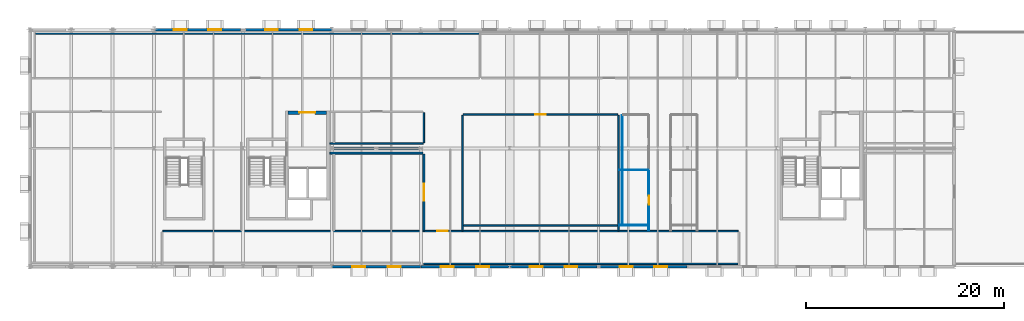
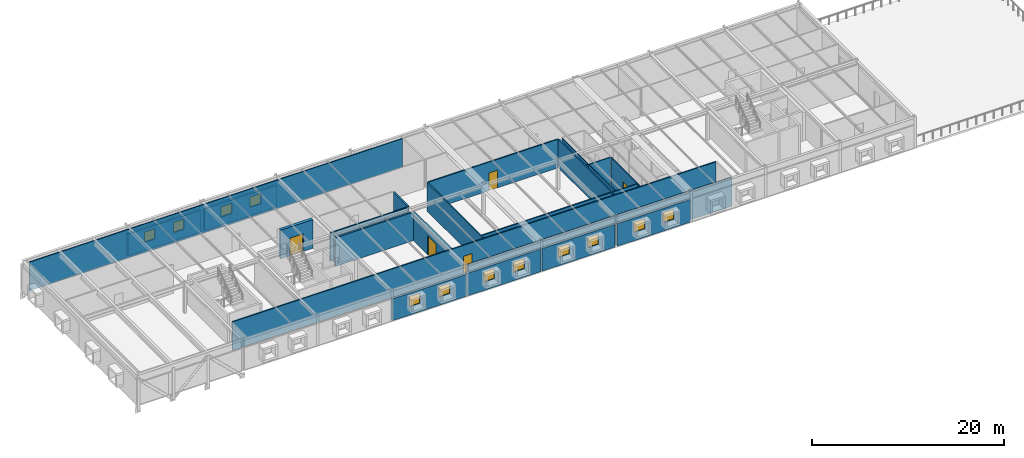
# One storey, part 12 of 17: 24 walls, 12 windows, 5 doors, 17 openings.
"""IFC4 building model written with IfcOpenShell, lengths in metres."""

from ifc_helpers import new_model, si_unit, direction, frame, frame_2d, origin, place, context, subcontext, project, spatial, rectangle, extrude, material, layer, layer_set, type_object, element, fill, save


model = new_model("IFC4")

# Units and contexts
model_context = context("Model", 3, precision=1e-05, world=origin(), true_north=direction((0.0, 1.0)))
body_context = subcontext(model_context, "Body", "Model", "MODEL_VIEW")
ifc_project = project(units=[si_unit("LENGTHUNIT", "METRE"), si_unit("AREAUNIT", "SQUARE_METRE"), si_unit("VOLUMEUNIT", "CUBIC_METRE"), si_unit("PLANEANGLEUNIT", "RADIAN"), si_unit("MASSUNIT", "GRAM", prefix="KILO")], contexts=[model_context])

# Site, building, storey
site_placement = place(None, origin())
site = spatial("IfcSite", under=ifc_project, at=site_placement, CompositionType="ELEMENT")
building_placement = place(site_placement, origin())
building = spatial("IfcBuilding", under=site, at=building_placement, Name="Montelvaro Courts of Justice", CompositionType="ELEMENT")
storey_placement = place(building_placement, frame((0.0, 0.0, 27.39990234375)))
storey = spatial("IfcBuildingStorey", under=building, at=storey_placement, Name="L06", CompositionType="ELEMENT", Elevation=27.39990234375)

# Wall, opening, door
ifc_material_1 = material(Name="Gypsum board on metal stud")
ifc_layer_1 = layer(ifc_material_1, 0.14990234375)
ifc_layer_set_1 = layer_set([ifc_layer_1], Name="Gypsum board on metal stud")
wall_type_1 = type_object("IfcWallType", Name="ChambersPartition_150", PredefinedType="PARTITIONING", material=ifc_layer_set_1)
wall_1_placement = place(storey_placement, frame((45.8798828125, 3.60009765625, 0.0), z_axis=(0.0, 0.0, 1.0), x_axis=(1.0, 0.0, 0.0)))
wall_1 = element("IfcWall", 1, at=wall_1_placement, inside=storey, type_object=wall_type_1, Name="Interior Partition IW-04 (L06)", PredefinedType="PARTITIONING", context=body_context, shape_type="SweptSolid", body=[
    extrude(rectangle(XDim=58.240234375, YDim=0.14990234375, at=frame_2d((29.1201171875, 0.0))), origin(), (0.0, 0.0, 1.0), 3.64013671875),
])
opening_1_placement = place(wall_1_placement, frame((27.794921875, 0.0, 0.0)))
opening_1 = element("IfcOpeningElement", 2, at=opening_1_placement, cuts=wall_1, Name="Opening D-L06-163", PredefinedType="OPENING", context=body_context, shape_type="SweptSolid", body=[
    extrude(rectangle(XDim=1.050048828125, YDim=2.25, at=frame_2d((0.52490234375, 1.125))), frame((0.0, 0.08984375, 0.0), z_axis=(0.0, -1.0, 0.0), x_axis=(1.0, 0.0, 0.0)), (0.0, 0.0, 1.0), 0.1796875),
])
ifc_material_2 = material(Name="Acoustic oak timber veneer", Category="wood")
door_type_1 = type_object("IfcDoorType", Name="ChamberDoor_105x225", OperationType="NOTDEFINED", PredefinedType="DOOR", material=ifc_material_2)
door_1_placement = place(opening_1_placement, frame((1.050048828125, 0.0, 0.0), z_axis=(0.0, 0.0, 1.0), x_axis=(-1.0, 0.0, 0.0)))
door_1 = element("IfcDoor", 3, at=door_1_placement, inside=storey, type_object=door_type_1, Name="Interior Door D-L06-163 (South Chambers Gallery L06)", OperationType="SINGLE_SWING_LEFT", OverallHeight=2.25, OverallWidth=1.050048828125, PredefinedType="DOOR", context=body_context, shape_type="SweptSolid", body=[
    extrude(rectangle(XDim=1.050048828125, YDim=2.25, at=frame_2d((0.52490234375, 1.125))), frame((0.0, 0.02490234375, 0.0), z_axis=(0.0, -1.0, 0.0), x_axis=(1.0, 0.0, 0.0)), (0.0, 0.0, 1.0), 0.050048828125),
])
fill(opening_1, door_1)

# Walls
wall_2_placement = place(storey_placement, frame((104.1298828125, 0.300048828125, 0.0), z_axis=(0.0, 0.0, 1.0), x_axis=(-1.0, 0.0, 0.0)))
element("IfcWall", 4, at=wall_2_placement, inside=storey, type_object=wall_type_1, Name="Interior Partition IW-04 (L06)", PredefinedType="PARTITIONING", context=body_context, shape_type="SweptSolid", body=[
    extrude(rectangle(XDim=31.850830078125, YDim=0.14990234375, at=frame_2d((15.92529296875, 0.0))), origin(), (0.0, 0.0, 1.0), 3.64013671875),
])
wall_3_placement = place(storey_placement, frame((72.219970703125, 12.5, 0.0), z_axis=(0.0, 0.0, 1.0), x_axis=(-1.0, 0.0, 0.0)))
element("IfcWall", 5, at=wall_3_placement, inside=storey, type_object=wall_type_1, Name="Interior Partition IW-04 (L06)", PredefinedType="PARTITIONING", context=body_context, shape_type="SweptSolid", body=[
    extrude(rectangle(XDim=9.425048828125, YDim=0.14990234375, at=frame_2d((4.71240234375, 0.0))), origin(), (0.0, 0.0, 1.0), 3.64013671875),
])
wall_4_placement = place(storey_placement, frame((72.300048828125, 15.6201171875, 0.0), z_axis=(0.0, 0.0, 1.0), x_axis=(0.0, -1.0, 0.0)))
element("IfcWall", 6, at=wall_4_placement, inside=storey, type_object=wall_type_1, Name="Interior Partition IW-04 (L06)", PredefinedType="PARTITIONING", context=body_context, shape_type="SweptSolid", body=[
    extrude(rectangle(XDim=3.0400390625, YDim=0.14990234375, at=frame_2d((1.52001953125, 0.0))), origin(), (0.0, 0.0, 1.0), 3.64013671875),
])
wall_5_placement = place(storey_placement, frame((76.199951171875, 3.669921875, 0.0), z_axis=(0.0, 0.0, 1.0), x_axis=(0.0, 1.0, 0.0)))
element("IfcWall", 7, at=wall_5_placement, inside=storey, type_object=wall_type_1, Name="Interior Partition IW-04 (L06)", PredefinedType="PARTITIONING", context=body_context, shape_type="SweptSolid", body=[
    extrude(rectangle(XDim=11.650146484375, YDim=0.14990234375, at=frame_2d((5.8251953125, 0.0))), origin(), (0.0, 0.0, 1.0), 3.64013671875),
])

# Wall, opening, door
wall_6_placement = place(storey_placement, frame((76.280029296875, 15.39990234375, 0.0), z_axis=(0.0, 0.0, 1.0), x_axis=(1.0, 0.0, 0.0)))
wall_6 = element("IfcWall", 8, at=wall_6_placement, inside=storey, type_object=wall_type_1, Name="Interior Partition IW-04 (L06)", PredefinedType="PARTITIONING", context=body_context, shape_type="SweptSolid", body=[
    extrude(rectangle(XDim=15.639892578125, YDim=0.14990234375, at=frame_2d((7.81982421875, 0.0))), origin(), (0.0, 0.0, 1.0), 3.64013671875),
])
opening_2_placement = place(wall_6_placement, frame((7.294921875, 0.0, 0.0)))
opening_2 = element("IfcOpeningElement", 9, at=opening_2_placement, cuts=wall_6, Name="Opening D-L06-172", PredefinedType="OPENING", context=body_context, shape_type="SweptSolid", body=[
    extrude(rectangle(XDim=1.050048828125, YDim=2.25, at=frame_2d((0.52490234375, 1.125))), frame((0.0, 0.08984375, 0.0), z_axis=(0.0, -1.0, 0.0), x_axis=(1.0, 0.0, 0.0)), (0.0, 0.0, 1.0), 0.1796875),
])
door_2_placement = place(opening_2_placement, origin())
door_2 = element("IfcDoor", 10, at=door_2_placement, inside=storey, type_object=door_type_1, Name="Interior Door D-L06-172 (Digital Jurisprudence Lab L06)", OperationType="SINGLE_SWING_LEFT", OverallHeight=2.25, OverallWidth=1.050048828125, PredefinedType="DOOR", context=body_context, shape_type="SweptSolid", body=[
    extrude(rectangle(XDim=1.050048828125, YDim=2.25, at=frame_2d((0.52490234375, 1.125))), frame((0.0, 0.02490234375, 0.0), z_axis=(0.0, -1.0, 0.0), x_axis=(1.0, 0.0, 0.0)), (0.0, 0.0, 1.0), 0.050048828125),
])
fill(opening_2, door_2)

# Walls
wall_7_placement = place(storey_placement, frame((92.0, 15.320068359375, 0.0), z_axis=(0.0, 0.0, 1.0), x_axis=(0.0, -1.0, 0.0)))
element("IfcWall", 11, at=wall_7_placement, inside=storey, type_object=wall_type_1, Name="Interior Partition IW-04 (L06)", PredefinedType="PARTITIONING", context=body_context, shape_type="SweptSolid", body=[
    extrude(rectangle(XDim=11.650146484375, YDim=0.14990234375, at=frame_2d((5.8251953125, 0.0))), origin(), (0.0, 0.0, 1.0), 3.64013671875),
])
wall_8_placement = place(storey_placement, frame((91.929931640625, 4.199951171875, 0.0), z_axis=(0.0, 0.0, 1.0), x_axis=(-1.0, 0.0, 0.0)))
element("IfcWall", 12, at=wall_8_placement, inside=storey, type_object=wall_type_1, Name="Interior Partition IW-04 (L06)", PredefinedType="PARTITIONING", context=body_context, shape_type="SweptSolid", body=[
    extrude(rectangle(XDim=15.659912109375, YDim=0.14990234375, at=frame_2d((7.830078125, 0.0))), origin(), (0.0, 0.0, 1.0), 3.64013671875),
])

# Wall, opening, door
ifc_material_3 = material(Name="Concrete C40/50", Category="concrete")
ifc_layer_2 = layer(ifc_material_3, 0.360107421875)
ifc_layer_set_2 = layer_set([ifc_layer_2], Name="Concrete C40/50")
wall_type_2 = type_object("IfcWallType", Name="CoreWall_360", PredefinedType="SHEAR", material=ifc_layer_set_2)
wall_9_placement = place(storey_placement, frame((58.5400390625, 15.6201171875, 0.0), z_axis=(0.0, 0.0, 1.0), x_axis=(1.0, 0.0, 0.0)))
wall_9 = element("IfcWall", 13, at=wall_9_placement, inside=storey, type_object=wall_type_2, Name="Core Shear Wall CW-01 K1-N (L06)", PredefinedType="SHEAR", context=body_context, shape_type="SweptSolid", body=[
    extrude(rectangle(XDim=3.89990234375, YDim=0.360107421875, at=frame_2d((1.949951171875, 0.0))), origin(), (0.0, 0.0, 1.0), 3.66015625),
])
opening_3_placement = place(wall_9_placement, frame((1.14990234375, 0.0, 0.0)))
opening_3 = element("IfcOpeningElement", 14, at=opening_3_placement, cuts=wall_9, Name="Opening DL-L06-K1", PredefinedType="OPENING", context=body_context, shape_type="SweptSolid", body=[
    extrude(rectangle(XDim=1.60009765625, YDim=2.25, at=frame_2d((0.800048828125, 1.125))), frame((0.0, 0.19482421875, 0.0), z_axis=(0.0, -1.0, 0.0), x_axis=(1.0, 0.0, 0.0)), (0.0, 0.0, 1.0), 0.389892578125),
])
ifc_material_4 = material(Name="Galvanised steel S355 security door", Category="steel")
door_type_2 = type_object("IfcDoorType", Name="LobbyFireDoor_160x225", OperationType="DOUBLE_DOOR_SINGLE_SWING", PredefinedType="DOOR", material=ifc_material_4)
door_3_placement = place(opening_3_placement, origin())
door_3 = element("IfcDoor", 15, at=door_3_placement, inside=storey, type_object=door_type_2, Name="Core Lobby Fire Door DL-L06-K1", OperationType="DOUBLE_DOOR_SINGLE_SWING", OverallHeight=2.25, OverallWidth=1.60009765625, PredefinedType="DOOR", context=body_context, shape_type="SweptSolid", body=[
    extrude(rectangle(XDim=1.60009765625, YDim=2.25, at=frame_2d((0.800048828125, 1.125))), frame((0.0, 0.02490234375, 0.0), z_axis=(0.0, -1.0, 0.0), x_axis=(1.0, 0.0, 0.0)), (0.0, 0.0, 1.0), 0.050048828125),
])
fill(opening_3, door_3)

# Wall
ifc_material_5 = material(Name="Gypsum acoustic double stud with mineral wool")
ifc_layer_3 = layer(ifc_material_5, 0.199951171875)
ifc_layer_set_3 = layer_set([ifc_layer_3], Name="Gypsum acoustic double stud with mineral wool")
wall_type_3 = type_object("IfcWallType", Name="CourtAcousticWall_200", PredefinedType="PARTITIONING", material=ifc_layer_set_3)
wall_10_placement = place(storey_placement, frame((62.794921875, 11.5, 0.0), z_axis=(0.0, 0.0, 1.0), x_axis=(1.0, 0.0, 0.0)))
element("IfcWall", 16, at=wall_10_placement, inside=storey, type_object=wall_type_3, Name="Interior Partition IW-01 (L06)", PredefinedType="PARTITIONING", context=body_context, shape_type="SweptSolid", body=[
    extrude(rectangle(XDim=9.425048828125, YDim=0.199951171875, at=frame_2d((4.71240234375, 0.0))), origin(), (0.0, 0.0, 1.0), 3.64013671875),
])

# Wall, opening, door
wall_11_placement = place(storey_placement, frame((72.300048828125, 11.419921875, 0.0), z_axis=(0.0, 0.0, 1.0), x_axis=(0.0, -1.0, 0.0)))
wall_11 = element("IfcWall", 17, at=wall_11_placement, inside=storey, type_object=wall_type_3, Name="Interior Partition IW-01 (L06)", PredefinedType="PARTITIONING", context=body_context, shape_type="SweptSolid", body=[
    extrude(rectangle(XDim=7.75, YDim=0.199951171875, at=frame_2d((3.875, 0.0))), origin(), (0.0, 0.0, 1.0), 3.64013671875),
])
opening_4_placement = place(wall_11_placement, frame((3.02490234375, 0.0, 0.0)))
opening_4 = element("IfcOpeningElement", 18, at=opening_4_placement, cuts=wall_11, Name="Opening D-L06-165", PredefinedType="OPENING", context=body_context, shape_type="SweptSolid", body=[
    extrude(rectangle(XDim=1.699951171875, YDim=2.39990234375, at=frame_2d((0.85009765625, 1.199951171875))), frame((0.0, 0.11474609375, 0.0), z_axis=(0.0, -1.0, 0.0), x_axis=(1.0, 0.0, 0.0)), (0.0, 0.0, 1.0), 0.229736328125),
])
door_type_3 = type_object("IfcDoorType", Name="CourtDoor_170x240", OperationType="DOUBLE_DOOR_SINGLE_SWING", PredefinedType="DOOR", material=ifc_material_2)
door_4_placement = place(opening_4_placement, frame((1.699951171875, 0.0, 0.0), z_axis=(0.0, 0.0, 1.0), x_axis=(-1.0, 0.0, 0.0)))
door_4 = element("IfcDoor", 19, at=door_4_placement, inside=storey, type_object=door_type_3, Name="Interior Door D-L06-165 (Witness Protection Hearing Room 20)", OperationType="DOUBLE_DOOR_SINGLE_SWING", OverallHeight=2.39990234375, OverallWidth=1.699951171875, PredefinedType="DOOR", context=body_context, shape_type="SweptSolid", body=[
    extrude(rectangle(XDim=1.699951171875, YDim=2.39990234375, at=frame_2d((0.85009765625, 1.199951171875))), frame((0.0, 0.02490234375, 0.0), z_axis=(0.0, -1.0, 0.0), x_axis=(1.0, 0.0, 0.0)), (0.0, 0.0, 1.0), 0.050048828125),
])
fill(opening_4, door_4)

# Wall, openings, windows
ifc_material_6 = material(Name="White mineral precast concrete C45/55", Category="concrete")
ifc_layer_4 = layer(ifc_material_6, 0.280029296875)
ifc_layer_set_4 = layer_set([ifc_layer_4], Name="White mineral precast concrete C45/55")
wall_type_4 = type_object("IfcWallType", Name="ExtWall_GFRC_280", PredefinedType="SOLIDWALL", material=ifc_layer_set_4)
wall_12_placement = place(storey_placement, frame((63.008056640625, 0.0, 0.0), z_axis=(0.0, 0.0, 1.0), x_axis=(1.0, 0.0, 0.0)))
wall_12 = element("IfcWall", 20, at=wall_12_placement, inside=storey, type_object=wall_type_4, Name="Exterior Facade Wall EW-01 (L06)", PredefinedType="SOLIDWALL", context=body_context, shape_type="SweptSolid", body=[
    extrude(rectangle(XDim=8.98388671875, YDim=0.280029296875, at=frame_2d((4.491943359375, 0.0))), origin(), (0.0, 0.0, 1.0), 2.787109375),
])
opening_5_placement = place(wall_12_placement, frame((2.044921875, 0.0, 1.050048828125)))
opening_5 = element("IfcOpeningElement", 21, at=opening_5_placement, cuts=wall_12, Name="Opening WE-18", PredefinedType="OPENING", context=body_context, shape_type="SweptSolid", body=[
    extrude(rectangle(XDim=1.300048828125, YDim=1.300048828125, at=frame_2d((0.64990234375, 0.64990234375))), frame((0.0, 0.15478515625, 0.0), z_axis=(0.0, -1.0, 0.0), x_axis=(1.0, 0.0, 0.0)), (0.0, 0.0, 1.0), 0.309814453125),
])
opening_6_placement = place(wall_12_placement, frame((5.638916015625, 0.0, 1.050048828125)))
opening_6 = element("IfcOpeningElement", 22, at=opening_6_placement, cuts=wall_12, Name="Opening WE-18", PredefinedType="OPENING", context=body_context, shape_type="SweptSolid", body=[
    extrude(rectangle(XDim=1.300048828125, YDim=1.300048828125, at=frame_2d((0.64990234375, 0.64990234375))), frame((0.0, 0.15478515625, 0.0), z_axis=(0.0, -1.0, 0.0), x_axis=(1.0, 0.0, 0.0)), (0.0, 0.0, 1.0), 0.309814453125),
])
ifc_material_7 = material(Name="Low-E solar control double glazing", Category="glass")
window_type = type_object("IfcWindowType", Name="Win_Sq_130x130", PartitioningType="SINGLE_PANEL", PredefinedType="WINDOW", material=ifc_material_7)
window_1_placement = place(opening_5_placement, origin())
window_1 = element("IfcWindow", 23, at=window_1_placement, inside=storey, type_object=window_type, Name="Window W-L06-288", OverallHeight=1.300048828125, OverallWidth=1.300048828125, PartitioningType="SINGLE_PANEL", PredefinedType="WINDOW", context=body_context, shape_type="SweptSolid", body=[
    extrude(rectangle(XDim=1.300048828125, YDim=1.300048828125, at=frame_2d((0.64990234375, 0.64990234375))), frame((0.0, 0.030029296875, 0.0), z_axis=(0.0, -1.0, 0.0), x_axis=(1.0, 0.0, 0.0)), (0.0, 0.0, 1.0), 0.06005859375),
])
fill(opening_5, window_1)
window_2_placement = place(opening_6_placement, origin())
window_2 = element("IfcWindow", 24, at=window_2_placement, inside=storey, type_object=window_type, Name="Window W-L06-289", OverallHeight=1.300048828125, OverallWidth=1.300048828125, PartitioningType="SINGLE_PANEL", PredefinedType="WINDOW", context=body_context, shape_type="SweptSolid", body=[
    extrude(rectangle(XDim=1.300048828125, YDim=1.300048828125, at=frame_2d((0.64990234375, 0.64990234375))), frame((0.0, 0.030029296875, 0.0), z_axis=(0.0, -1.0, 0.0), x_axis=(1.0, 0.0, 0.0)), (0.0, 0.0, 1.0), 0.06005859375),
])
fill(opening_6, window_2)

wall_13_placement = place(storey_placement, frame((72.008056640625, 0.0, 0.0), z_axis=(0.0, 0.0, 1.0), x_axis=(1.0, 0.0, 0.0)))
wall_13 = element("IfcWall", 25, at=wall_13_placement, inside=storey, type_object=wall_type_4, Name="Exterior Facade Wall EW-01 (L06)", PredefinedType="SOLIDWALL", context=body_context, shape_type="SweptSolid", body=[
    extrude(rectangle(XDim=8.933837890625, YDim=0.280029296875, at=frame_2d((4.466796875, 0.0))), origin(), (0.0, 0.0, 1.0), 2.885009765625),
])
opening_7_placement = place(wall_13_placement, frame((2.030029296875, 0.0, 1.050048828125)))
opening_7 = element("IfcOpeningElement", 26, at=opening_7_placement, cuts=wall_13, Name="Opening WE-18", PredefinedType="OPENING", context=body_context, shape_type="SweptSolid", body=[
    extrude(rectangle(XDim=1.300048828125, YDim=1.300048828125, at=frame_2d((0.64990234375, 0.64990234375))), frame((0.0, 0.15478515625, 0.0), z_axis=(0.0, -1.0, 0.0), x_axis=(1.0, 0.0, 0.0)), (0.0, 0.0, 1.0), 0.309814453125),
])
opening_8_placement = place(wall_13_placement, frame((5.60400390625, 0.0, 1.050048828125)))
opening_8 = element("IfcOpeningElement", 27, at=opening_8_placement, cuts=wall_13, Name="Opening WE-18", PredefinedType="OPENING", context=body_context, shape_type="SweptSolid", body=[
    extrude(rectangle(XDim=1.300048828125, YDim=1.300048828125, at=frame_2d((0.64990234375, 0.64990234375))), frame((0.0, 0.15478515625, 0.0), z_axis=(0.0, -1.0, 0.0), x_axis=(1.0, 0.0, 0.0)), (0.0, 0.0, 1.0), 0.309814453125),
])
window_3_placement = place(opening_7_placement, origin())
window_3 = element("IfcWindow", 28, at=window_3_placement, inside=storey, type_object=window_type, Name="Window W-L06-290", OverallHeight=1.300048828125, OverallWidth=1.300048828125, PartitioningType="SINGLE_PANEL", PredefinedType="WINDOW", context=body_context, shape_type="SweptSolid", body=[
    extrude(rectangle(XDim=1.300048828125, YDim=1.300048828125, at=frame_2d((0.64990234375, 0.64990234375))), frame((0.0, 0.030029296875, 0.0), z_axis=(0.0, -1.0, 0.0), x_axis=(1.0, 0.0, 0.0)), (0.0, 0.0, 1.0), 0.06005859375),
])
fill(opening_7, window_3)
window_4_placement = place(opening_8_placement, origin())
window_4 = element("IfcWindow", 29, at=window_4_placement, inside=storey, type_object=window_type, Name="Window W-L06-291", OverallHeight=1.300048828125, OverallWidth=1.300048828125, PartitioningType="SINGLE_PANEL", PredefinedType="WINDOW", context=body_context, shape_type="SweptSolid", body=[
    extrude(rectangle(XDim=1.300048828125, YDim=1.300048828125, at=frame_2d((0.64990234375, 0.64990234375))), frame((0.0, 0.030029296875, 0.0), z_axis=(0.0, -1.0, 0.0), x_axis=(1.0, 0.0, 0.0)), (0.0, 0.0, 1.0), 0.06005859375),
])
fill(opening_8, window_4)

wall_14_placement = place(storey_placement, frame((62.991943359375, 24.0, 0.0), z_axis=(0.0, 0.0, 1.0), x_axis=(-1.0, 0.0, 0.0)))
wall_14 = element("IfcWall", 30, at=wall_14_placement, inside=storey, type_object=wall_type_4, Name="Exterior Facade Wall EW-01 (L06)", PredefinedType="SOLIDWALL", context=body_context, shape_type="SweptSolid", body=[
    extrude(rectangle(XDim=8.743896484375, YDim=0.280029296875, at=frame_2d((4.3720703125, 0.0))), origin(), (0.0, 0.0, 1.0), 2.787109375),
])
opening_9_placement = place(wall_14_placement, frame((1.972900390625, 0.0, 1.050048828125)))
opening_9 = element("IfcOpeningElement", 31, at=opening_9_placement, cuts=wall_14, Name="Opening WE-18", PredefinedType="OPENING", context=body_context, shape_type="SweptSolid", body=[
    extrude(rectangle(XDim=1.300048828125, YDim=1.300048828125, at=frame_2d((0.64990234375, 0.64990234375))), frame((0.0, 0.15478515625, 0.0), z_axis=(0.0, -1.0, 0.0), x_axis=(1.0, 0.0, 0.0)), (0.0, 0.0, 1.0), 0.309814453125),
])
opening_10_placement = place(wall_14_placement, frame((5.470947265625, 0.0, 1.050048828125)))
opening_10 = element("IfcOpeningElement", 32, at=opening_10_placement, cuts=wall_14, Name="Opening WE-18", PredefinedType="OPENING", context=body_context, shape_type="SweptSolid", body=[
    extrude(rectangle(XDim=1.300048828125, YDim=1.300048828125, at=frame_2d((0.64990234375, 0.64990234375))), frame((0.0, 0.15478515625, 0.0), z_axis=(0.0, -1.0, 0.0), x_axis=(1.0, 0.0, 0.0)), (0.0, 0.0, 1.0), 0.309814453125),
])
window_5_placement = place(opening_9_placement, origin())
window_5 = element("IfcWindow", 33, at=window_5_placement, inside=storey, type_object=window_type, Name="Window W-L06-296", OverallHeight=1.300048828125, OverallWidth=1.300048828125, PartitioningType="SINGLE_PANEL", PredefinedType="WINDOW", context=body_context, shape_type="SweptSolid", body=[
    extrude(rectangle(XDim=1.300048828125, YDim=1.300048828125, at=frame_2d((0.64990234375, 0.64990234375))), frame((0.0, 0.030029296875, 0.0), z_axis=(0.0, -1.0, 0.0), x_axis=(1.0, 0.0, 0.0)), (0.0, 0.0, 1.0), 0.06005859375),
])
fill(opening_9, window_5)
window_6_placement = place(opening_10_placement, origin())
window_6 = element("IfcWindow", 34, at=window_6_placement, inside=storey, type_object=window_type, Name="Window W-L06-297", OverallHeight=1.300048828125, OverallWidth=1.300048828125, PartitioningType="SINGLE_PANEL", PredefinedType="WINDOW", context=body_context, shape_type="SweptSolid", body=[
    extrude(rectangle(XDim=1.300048828125, YDim=1.300048828125, at=frame_2d((0.64990234375, 0.64990234375))), frame((0.0, 0.030029296875, 0.0), z_axis=(0.0, -1.0, 0.0), x_axis=(1.0, 0.0, 0.0)), (0.0, 0.0, 1.0), 0.06005859375),
])
fill(opening_10, window_6)

wall_15_placement = place(storey_placement, frame((53.751953125, 24.0, 0.0), z_axis=(0.0, 0.0, 1.0), x_axis=(-1.0, 0.0, 0.0)))
wall_15 = element("IfcWall", 35, at=wall_15_placement, inside=storey, type_object=wall_type_4, Name="Exterior Facade Wall EW-01 (L06)", PredefinedType="SOLIDWALL", context=body_context, shape_type="SweptSolid", body=[
    extrude(rectangle(XDim=8.743896484375, YDim=0.280029296875, at=frame_2d((4.3720703125, 0.0))), origin(), (0.0, 0.0, 1.0), 2.787109375),
])
opening_11_placement = place(wall_15_placement, frame((1.972900390625, 0.0, 1.050048828125)))
opening_11 = element("IfcOpeningElement", 36, at=opening_11_placement, cuts=wall_15, Name="Opening WE-18", PredefinedType="OPENING", context=body_context, shape_type="SweptSolid", body=[
    extrude(rectangle(XDim=1.300048828125, YDim=1.300048828125, at=frame_2d((0.64990234375, 0.64990234375))), frame((0.0, 0.15478515625, 0.0), z_axis=(0.0, -1.0, 0.0), x_axis=(1.0, 0.0, 0.0)), (0.0, 0.0, 1.0), 0.309814453125),
])
opening_12_placement = place(wall_15_placement, frame((5.470947265625, 0.0, 1.050048828125)))
opening_12 = element("IfcOpeningElement", 37, at=opening_12_placement, cuts=wall_15, Name="Opening WE-18", PredefinedType="OPENING", context=body_context, shape_type="SweptSolid", body=[
    extrude(rectangle(XDim=1.300048828125, YDim=1.300048828125, at=frame_2d((0.64990234375, 0.64990234375))), frame((0.0, 0.15478515625, 0.0), z_axis=(0.0, -1.0, 0.0), x_axis=(1.0, 0.0, 0.0)), (0.0, 0.0, 1.0), 0.309814453125),
])
window_7_placement = place(opening_11_placement, origin())
window_7 = element("IfcWindow", 38, at=window_7_placement, inside=storey, type_object=window_type, Name="Window W-L06-298", OverallHeight=1.300048828125, OverallWidth=1.300048828125, PartitioningType="SINGLE_PANEL", PredefinedType="WINDOW", context=body_context, shape_type="SweptSolid", body=[
    extrude(rectangle(XDim=1.300048828125, YDim=1.300048828125, at=frame_2d((0.64990234375, 0.64990234375))), frame((0.0, 0.030029296875, 0.0), z_axis=(0.0, -1.0, 0.0), x_axis=(1.0, 0.0, 0.0)), (0.0, 0.0, 1.0), 0.06005859375),
])
fill(opening_11, window_7)
window_8_placement = place(opening_12_placement, origin())
window_8 = element("IfcWindow", 39, at=window_8_placement, inside=storey, type_object=window_type, Name="Window W-L06-299", OverallHeight=1.300048828125, OverallWidth=1.300048828125, PartitioningType="SINGLE_PANEL", PredefinedType="WINDOW", context=body_context, shape_type="SweptSolid", body=[
    extrude(rectangle(XDim=1.300048828125, YDim=1.300048828125, at=frame_2d((0.64990234375, 0.64990234375))), frame((0.0, 0.030029296875, 0.0), z_axis=(0.0, -1.0, 0.0), x_axis=(1.0, 0.0, 0.0)), (0.0, 0.0, 1.0), 0.06005859375),
])
fill(opening_12, window_8)

wall_16_placement = place(storey_placement, frame((81.05810546875, 0.0, 0.0), z_axis=(0.0, 0.0, 1.0), x_axis=(1.0, 0.0, 0.0)))
wall_16 = element("IfcWall", 40, at=wall_16_placement, inside=storey, type_object=wall_type_4, Name="Exterior Facade Wall EW-01 (L06)", PredefinedType="SOLIDWALL", context=body_context, shape_type="SweptSolid", body=[
    extrude(rectangle(XDim=8.7939453125, YDim=0.280029296875, at=frame_2d((4.39697265625, 0.0))), origin(), (0.0, 0.0, 1.0), 2.885009765625),
])
opening_13_placement = place(wall_16_placement, frame((1.988037109375, 0.0, 1.050048828125)))
opening_13 = element("IfcOpeningElement", 41, at=opening_13_placement, cuts=wall_16, Name="Opening WE-18", PredefinedType="OPENING", context=body_context, shape_type="SweptSolid", body=[
    extrude(rectangle(XDim=1.300048828125, YDim=1.300048828125, at=frame_2d((0.64990234375, 0.64990234375))), frame((0.0, 0.15478515625, 0.0), z_axis=(0.0, -1.0, 0.0), x_axis=(1.0, 0.0, 0.0)), (0.0, 0.0, 1.0), 0.309814453125),
])
opening_14_placement = place(wall_16_placement, frame((5.506103515625, 0.0, 1.050048828125)))
opening_14 = element("IfcOpeningElement", 42, at=opening_14_placement, cuts=wall_16, Name="Opening WE-18", PredefinedType="OPENING", context=body_context, shape_type="SweptSolid", body=[
    extrude(rectangle(XDim=1.300048828125, YDim=1.300048828125, at=frame_2d((0.64990234375, 0.64990234375))), frame((0.0, 0.15478515625, 0.0), z_axis=(0.0, -1.0, 0.0), x_axis=(1.0, 0.0, 0.0)), (0.0, 0.0, 1.0), 0.309814453125),
])
window_9_placement = place(opening_13_placement, origin())
window_9 = element("IfcWindow", 43, at=window_9_placement, inside=storey, type_object=window_type, Name="Window W-L06-304", OverallHeight=1.300048828125, OverallWidth=1.300048828125, PartitioningType="SINGLE_PANEL", PredefinedType="WINDOW", context=body_context, shape_type="SweptSolid", body=[
    extrude(rectangle(XDim=1.300048828125, YDim=1.300048828125, at=frame_2d((0.64990234375, 0.64990234375))), frame((0.0, 0.030029296875, 0.0), z_axis=(0.0, -1.0, 0.0), x_axis=(1.0, 0.0, 0.0)), (0.0, 0.0, 1.0), 0.06005859375),
])
fill(opening_13, window_9)
window_10_placement = place(opening_14_placement, origin())
window_10 = element("IfcWindow", 44, at=window_10_placement, inside=storey, type_object=window_type, Name="Window W-L06-305", OverallHeight=1.300048828125, OverallWidth=1.300048828125, PartitioningType="SINGLE_PANEL", PredefinedType="WINDOW", context=body_context, shape_type="SweptSolid", body=[
    extrude(rectangle(XDim=1.300048828125, YDim=1.300048828125, at=frame_2d((0.64990234375, 0.64990234375))), frame((0.0, 0.030029296875, 0.0), z_axis=(0.0, -1.0, 0.0), x_axis=(1.0, 0.0, 0.0)), (0.0, 0.0, 1.0), 0.06005859375),
])
fill(opening_14, window_10)

wall_17_placement = place(storey_placement, frame((90.14794921875, 0.0, 0.0), z_axis=(0.0, 0.0, 1.0), x_axis=(1.0, 0.0, 0.0)))
wall_17 = element("IfcWall", 45, at=wall_17_placement, inside=storey, type_object=wall_type_4, Name="Exterior Facade Wall EW-01 (L06)", PredefinedType="SOLIDWALL", context=body_context, shape_type="SweptSolid", body=[
    extrude(rectangle(XDim=8.7939453125, YDim=0.280029296875, at=frame_2d((4.39697265625, 0.0))), origin(), (0.0, 0.0, 1.0), 2.885009765625),
])
opening_15_placement = place(wall_17_placement, frame((1.988037109375, 0.0, 1.050048828125)))
opening_15 = element("IfcOpeningElement", 46, at=opening_15_placement, cuts=wall_17, Name="Opening WE-18", PredefinedType="OPENING", context=body_context, shape_type="SweptSolid", body=[
    extrude(rectangle(XDim=1.300048828125, YDim=1.300048828125, at=frame_2d((0.64990234375, 0.64990234375))), frame((0.0, 0.15478515625, 0.0), z_axis=(0.0, -1.0, 0.0), x_axis=(1.0, 0.0, 0.0)), (0.0, 0.0, 1.0), 0.309814453125),
])
opening_16_placement = place(wall_17_placement, frame((5.506103515625, 0.0, 1.050048828125)))
opening_16 = element("IfcOpeningElement", 47, at=opening_16_placement, cuts=wall_17, Name="Opening WE-18", PredefinedType="OPENING", context=body_context, shape_type="SweptSolid", body=[
    extrude(rectangle(XDim=1.300048828125, YDim=1.300048828125, at=frame_2d((0.64990234375, 0.64990234375))), frame((0.0, 0.15478515625, 0.0), z_axis=(0.0, -1.0, 0.0), x_axis=(1.0, 0.0, 0.0)), (0.0, 0.0, 1.0), 0.309814453125),
])
window_11_placement = place(opening_15_placement, origin())
window_11 = element("IfcWindow", 48, at=window_11_placement, inside=storey, type_object=window_type, Name="Window W-L06-306", OverallHeight=1.300048828125, OverallWidth=1.300048828125, PartitioningType="SINGLE_PANEL", PredefinedType="WINDOW", context=body_context, shape_type="SweptSolid", body=[
    extrude(rectangle(XDim=1.300048828125, YDim=1.300048828125, at=frame_2d((0.64990234375, 0.64990234375))), frame((0.0, 0.030029296875, 0.0), z_axis=(0.0, -1.0, 0.0), x_axis=(1.0, 0.0, 0.0)), (0.0, 0.0, 1.0), 0.06005859375),
])
fill(opening_15, window_11)
window_12_placement = place(opening_16_placement, origin())
window_12 = element("IfcWindow", 49, at=window_12_placement, inside=storey, type_object=window_type, Name="Window W-L06-307", OverallHeight=1.300048828125, OverallWidth=1.300048828125, PartitioningType="SINGLE_PANEL", PredefinedType="WINDOW", context=body_context, shape_type="SweptSolid", body=[
    extrude(rectangle(XDim=1.300048828125, YDim=1.300048828125, at=frame_2d((0.64990234375, 0.64990234375))), frame((0.0, 0.030029296875, 0.0), z_axis=(0.0, -1.0, 0.0), x_axis=(1.0, 0.0, 0.0)), (0.0, 0.0, 1.0), 0.06005859375),
])
fill(opening_16, window_12)

# Walls
ifc_layer_5 = layer(ifc_material_1, 0.1201171875)
ifc_layer_set_5 = layer_set([ifc_layer_5], Name="Gypsum board on metal stud")
wall_type_5 = type_object("IfcWallType", Name="OfficePartition_120", PredefinedType="PARTITIONING", material=ifc_layer_set_5)
wall_18_placement = place(storey_placement, frame((32.955078125, 23.60009765625, 0.0), z_axis=(0.0, 0.0, 1.0), x_axis=(1.0, 0.0, 0.0)))
element("IfcWall", 50, at=wall_18_placement, inside=storey, type_object=wall_type_5, Name="Interior Partition IW-05 (L06)", PredefinedType="PARTITIONING", context=body_context, shape_type="SweptSolid", body=[
    extrude(rectangle(XDim=44.96484375, YDim=0.1201171875, at=frame_2d((22.482421875, 0.0))), origin(), (0.0, 0.0, 1.0), 3.64013671875),
])
ifc_material_8 = material(Name="Concrete C35/45", Category="concrete")
ifc_layer_6 = layer(ifc_material_8, 0.239990234375)
ifc_layer_set_6 = layer_set([ifc_layer_6], Name="Concrete C35/45")
wall_type_6 = type_object("IfcWallType", Name="ShaftWall_240", PredefinedType="SHEAR", material=ifc_layer_set_6)
wall_19_placement = place(storey_placement, frame((63.008056640625, 12.0, 0.0), z_axis=(0.0, 0.0, 1.0), x_axis=(1.0, 0.0, 0.0)))
element("IfcWall", 51, at=wall_19_placement, inside=storey, type_object=wall_type_6, Name="Enclosed Braced Frame Structural Wall CBF1 (L06)", PredefinedType="SHEAR", context=body_context, shape_type="SweptSolid", body=[
    extrude(rectangle(XDim=8.85400390625, YDim=0.239990234375, at=frame_2d((4.427001953125, 0.0))), origin(), (0.0, 0.0, 1.0), 3.35498046875),
])

# Wall, opening, door
ifc_material_9 = material(Name="Moisture-resistant cement board")
ifc_layer_7 = layer(ifc_material_9, 0.10009765625)
ifc_layer_set_7 = layer_set([ifc_layer_7], Name="Moisture-resistant cement board")
wall_type_7 = type_object("IfcWallType", Name="WetWall_100", PredefinedType="PARTITIONING", material=ifc_layer_set_7)
wall_20_placement = place(storey_placement, frame((95.10009765625, 9.719970703125, 0.0), z_axis=(0.0, 0.0, 1.0), x_axis=(0.0, -1.0, 0.0)))
wall_20 = element("IfcWall", 52, at=wall_20_placement, inside=storey, type_object=wall_type_7, Name="Interior Partition IW-06 (L06)", PredefinedType="PARTITIONING", context=body_context, shape_type="SweptSolid", body=[
    extrude(rectangle(XDim=6.050048828125, YDim=0.10009765625, at=frame_2d((3.02490234375, 0.0))), origin(), (0.0, 0.0, 1.0), 3.64013671875),
])
opening_17_placement = place(wall_20_placement, frame((2.529052734375, 0.0, 0.0)))
opening_17 = element("IfcOpeningElement", 53, at=opening_17_placement, cuts=wall_20, Name="Opening D-L06-173", PredefinedType="OPENING", context=body_context, shape_type="SweptSolid", body=[
    extrude(rectangle(XDim=0.89990234375, YDim=2.050048828125, at=frame_2d((0.449951171875, 1.02490234375))), frame((0.0, 0.06494140625, 0.0), z_axis=(0.0, -1.0, 0.0), x_axis=(1.0, 0.0, 0.0)), (0.0, 0.0, 1.0), 0.1298828125),
])
door_type_4 = type_object("IfcDoorType", Name="RestroomDoor_090x205", OperationType="NOTDEFINED", PredefinedType="DOOR", material=ifc_material_2)
door_5_placement = place(opening_17_placement, frame((0.89990234375, 0.0, 0.0), z_axis=(0.0, 0.0, 1.0), x_axis=(-1.0, 0.0, 0.0)))
door_5 = element("IfcDoor", 54, at=door_5_placement, inside=storey, type_object=door_type_4, Name="Interior Door D-L06-173 (Sixth Floor Male Restroom)", OperationType="SINGLE_SWING_RIGHT", OverallHeight=2.050048828125, OverallWidth=0.89990234375, PredefinedType="DOOR", context=body_context, shape_type="SweptSolid", body=[
    extrude(rectangle(XDim=0.89990234375, YDim=2.050048828125, at=frame_2d((0.449951171875, 1.02490234375))), frame((0.0, 0.02490234375, 0.0), z_axis=(0.0, -1.0, 0.0), x_axis=(1.0, 0.0, 0.0)), (0.0, 0.0, 1.0), 0.050048828125),
])
fill(opening_17, door_5)

# Walls
wall_21_placement = place(storey_placement, frame((95.054931640625, 4.199951171875, 0.0), z_axis=(0.0, 0.0, 1.0), x_axis=(-1.0, 0.0, 0.0)))
element("IfcWall", 55, at=wall_21_placement, inside=storey, type_object=wall_type_7, Name="Interior Partition IW-06 (L06)", PredefinedType="PARTITIONING", context=body_context, shape_type="SweptSolid", body=[
    extrude(rectangle(XDim=2.98486328125, YDim=0.10009765625, at=frame_2d((1.492431640625, 0.0))), origin(), (0.0, 0.0, 1.0), 3.64013671875),
])
wall_22_placement = place(storey_placement, frame((92.39990234375, 4.2451171875, 0.0), z_axis=(0.0, 0.0, 1.0), x_axis=(0.0, 1.0, 0.0)))
element("IfcWall", 56, at=wall_22_placement, inside=storey, type_object=wall_type_7, Name="Interior Partition IW-06 (L06)", PredefinedType="PARTITIONING", context=body_context, shape_type="SweptSolid", body=[
    extrude(rectangle(XDim=5.474853515625, YDim=0.10009765625, at=frame_2d((2.7373046875, 0.0))), origin(), (0.0, 0.0, 1.0), 3.64013671875),
])
wall_23_placement = place(storey_placement, frame((92.070068359375, 9.800048828125, 0.0), z_axis=(0.0, 0.0, 1.0), x_axis=(1.0, 0.0, 0.0)))
element("IfcWall", 57, at=wall_23_placement, inside=storey, type_object=wall_type_7, Name="Interior Partition IW-06 (L06)", PredefinedType="PARTITIONING", context=body_context, shape_type="SweptSolid", body=[
    extrude(rectangle(XDim=2.949951171875, YDim=0.10009765625, at=frame_2d((1.47509765625, 0.0))), origin(), (0.0, 0.0, 1.0), 3.64013671875),
])
wall_24_placement = place(storey_placement, frame((92.39990234375, 9.844970703125, 0.0), z_axis=(0.0, 0.0, 1.0), x_axis=(0.0, 1.0, 0.0)))
element("IfcWall", 58, at=wall_24_placement, inside=storey, type_object=wall_type_7, Name="Interior Partition IW-06 (L06)", PredefinedType="PARTITIONING", context=body_context, shape_type="SweptSolid", body=[
    extrude(rectangle(XDim=5.47509765625, YDim=0.10009765625, at=frame_2d((2.737548828125, 0.0))), origin(), (0.0, 0.0, 1.0), 3.64013671875),
])

save(model, "model.ifc")
